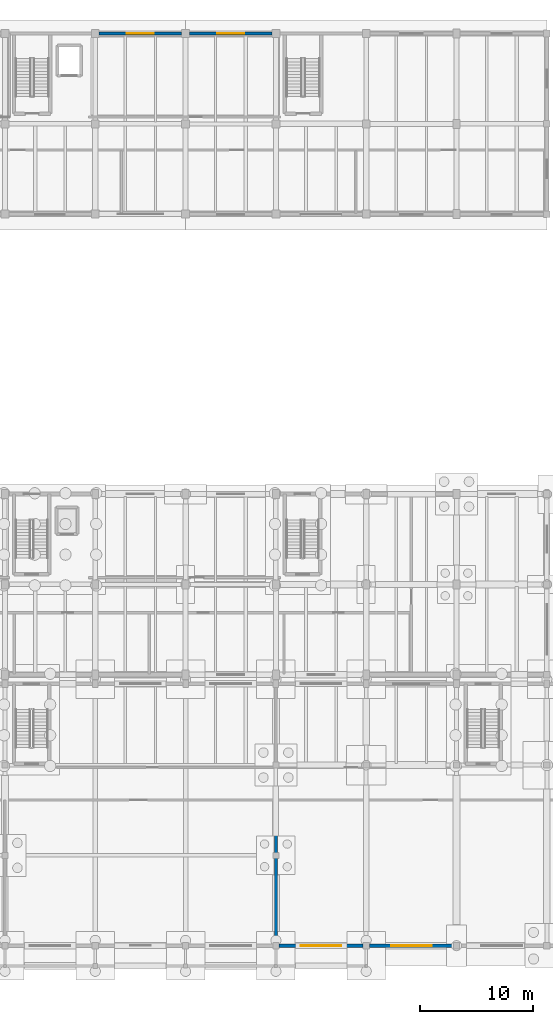
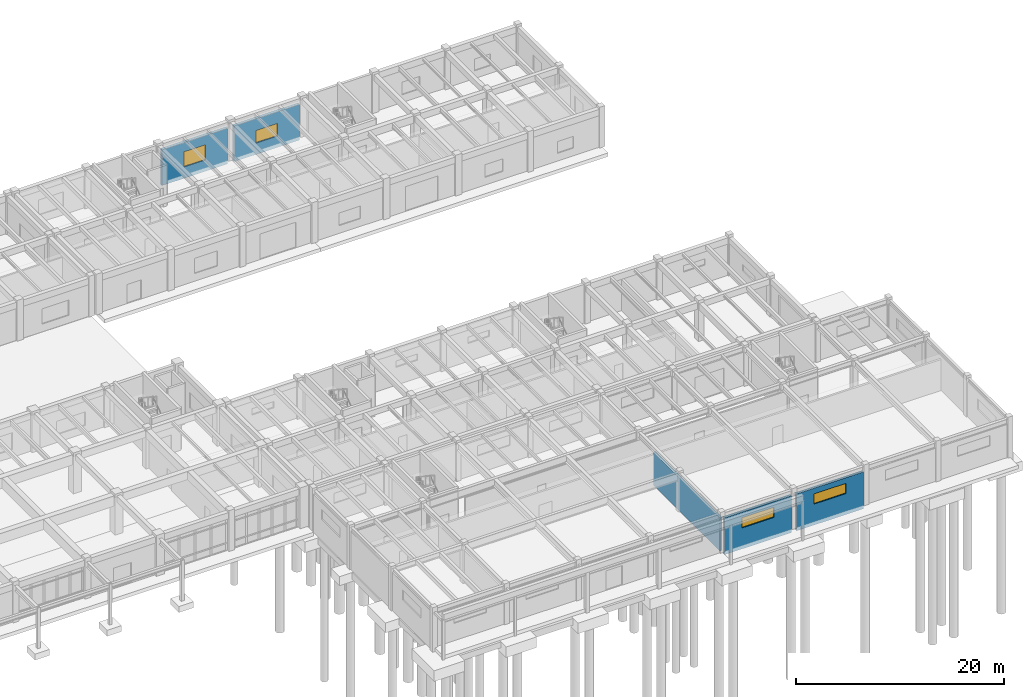
# One storey, part 42 of 64: 5 walls, 4 windows, 4 openings.
"""IFC4 building model written with IfcOpenShell, lengths in metres."""

from ifc_helpers import new_model, si_unit, direction, frame, frame_2d, origin, place, context, subcontext, project, spatial, rectangle, extrude, material, layer, layer_set, type_object, element, fill, save


model = new_model("IFC4")

# Units and contexts
model_context = context("Model", 3, precision=1e-05, world=origin(), true_north=direction((0.0, 1.0)))
body_context = subcontext(model_context, "Body", "Model", "MODEL_VIEW")
ifc_project = project(units=[si_unit("LENGTHUNIT", "METRE"), si_unit("AREAUNIT", "SQUARE_METRE"), si_unit("VOLUMEUNIT", "CUBIC_METRE"), si_unit("PLANEANGLEUNIT", "RADIAN"), si_unit("MASSUNIT", "GRAM", prefix="KILO")], contexts=[model_context])

# Site, building, storey
site_placement = place(None, origin())
site = spatial("IfcSite", under=ifc_project, at=site_placement, CompositionType="ELEMENT")
building_placement = place(site_placement, origin())
building = spatial("IfcBuilding", under=site, at=building_placement, Name="Tlaxcora Railside Police Headquarters", CompositionType="ELEMENT")
storey_placement = place(building_placement, origin())
storey = spatial("IfcBuildingStorey", under=building, at=storey_placement, Name="L00", CompositionType="ELEMENT", Elevation=0.0)

# Wall
ifc_material_1 = material(Name="Pressed clay brick masonry", Category="masonry")
ifc_layer_1 = layer(ifc_material_1, 0.239990234375, Name="Pressed clay brick masonry")
ifc_layer_set_1 = layer_set([ifc_layer_1], Name="Pressed clay brick masonry")
wall_type_1 = type_object("IfcWallType", Name="Interior Partition Wall IW-85", PredefinedType="PARTITIONING", material=ifc_layer_set_1)
wall_1_placement = place(storey_placement, frame((134.800048828125, 12.080078125, 0.0), z_axis=(0.0, 0.0, 1.0), x_axis=(0.0, 1.0, 0.0)))
element("IfcWall", 1, at=wall_1_placement, inside=storey, type_object=wall_type_1, Name="V3 L00 interior partition 39", PredefinedType="PARTITIONING", context=body_context, shape_type="SweptSolid", body=[
    extrude(rectangle(XDim=12.81982421875, YDim=0.239990234375, at=frame_2d((6.409912109375, 0.0))), origin(), (0.0, 0.0, 1.0), 3.89794921875),
])

# Wall, opening, window
ifc_layer_2 = layer(ifc_material_1, 0.294921875, Name="Pressed clay brick masonry")
ifc_layer_set_2 = layer_set([ifc_layer_2], Name="Pressed clay brick masonry")
wall_type_2 = type_object("IfcWallType", Name="Structural Bearing Wall EW-74", PredefinedType="SOLIDWALL", material=ifc_layer_set_2)
wall_2_placement = place(storey_placement, frame((135.074951171875, 12.0, -0.419921875), z_axis=(0.0, 0.0, 1.0), x_axis=(1.0, 0.0, 0.0)))
wall_2 = element("IfcWall", 2, at=wall_2_placement, inside=storey, type_object=wall_type_2, Name="V3 L00 exterior wall 0.4", PredefinedType="SOLIDWALL", context=body_context, shape_type="SweptSolid", body=[
    extrude(rectangle(XDim=7.449951171875, YDim=0.294921875, at=frame_2d((3.72509765625, 0.0))), origin(), (0.0, 0.0, 1.0), 4.3330078125),
])
opening_1_placement = place(wall_2_placement, frame((1.925048828125, 0.0, 2.469970703125)))
opening_1 = element("IfcOpeningElement", 3, at=opening_1_placement, cuts=wall_2, Name="Opening WN-77", PredefinedType="OPENING", context=body_context, shape_type="SweptSolid", body=[
    extrude(rectangle(XDim=3.60009765625, YDim=1.199951171875, at=frame_2d((1.800048828125, 0.60009765625))), frame((0.0, 0.157470703125, 0.0), z_axis=(0.0, -1.0, 0.0), x_axis=(1.0, 0.0, 0.0)), (0.0, 0.0, 1.0), 0.31494140625),
])
ifc_material_2 = material(Name="Thermally broken low-E insulated glazing", Category="glass")
window_type_1 = type_object("IfcWindowType", Name="Exterior Framed or Circular Window WN-77", PartitioningType="SINGLE_PANEL", PredefinedType="WINDOW", material=ifc_material_2)
window_1_placement = place(opening_1_placement, origin())
window_1 = element("IfcWindow", 4, at=window_1_placement, inside=storey, type_object=window_type_1, Name="V3 L00 window 40", OverallHeight=1.199951171875, OverallWidth=3.60009765625, PartitioningType="SINGLE_PANEL", PredefinedType="WINDOW", context=body_context, shape_type="SweptSolid", body=[
    extrude(rectangle(XDim=3.60009765625, YDim=1.199951171875, at=frame_2d((1.800048828125, 0.60009765625))), frame((0.0, 0.030029296875, 0.0), z_axis=(0.0, -1.0, 0.0), x_axis=(1.0, 0.0, 0.0)), (0.0, 0.0, 1.0), 0.06005859375),
])
fill(opening_1, window_1)

wall_3_placement = place(storey_placement, frame((143.074951171875, 12.0, -0.419921875), z_axis=(0.0, 0.0, 1.0), x_axis=(1.0, 0.0, 0.0)))
wall_3 = element("IfcWall", 5, at=wall_3_placement, inside=storey, type_object=wall_type_2, Name="V3 L00 exterior wall 0.5", PredefinedType="SOLIDWALL", context=body_context, shape_type="SweptSolid", body=[
    extrude(rectangle(XDim=7.449951171875, YDim=0.294921875, at=frame_2d((3.72509765625, 0.0))), origin(), (0.0, 0.0, 1.0), 4.3330078125),
])
opening_2_placement = place(wall_3_placement, frame((1.925048828125, 0.0, 2.469970703125)))
opening_2 = element("IfcOpeningElement", 6, at=opening_2_placement, cuts=wall_3, Name="Opening WN-77", PredefinedType="OPENING", context=body_context, shape_type="SweptSolid", body=[
    extrude(rectangle(XDim=3.60009765625, YDim=1.199951171875, at=frame_2d((1.800048828125, 0.60009765625))), frame((0.0, 0.157470703125, 0.0), z_axis=(0.0, -1.0, 0.0), x_axis=(1.0, 0.0, 0.0)), (0.0, 0.0, 1.0), 0.31494140625),
])
window_2_placement = place(opening_2_placement, origin())
window_2 = element("IfcWindow", 7, at=window_2_placement, inside=storey, type_object=window_type_1, Name="V3 L00 window 41", OverallHeight=1.199951171875, OverallWidth=3.60009765625, PartitioningType="SINGLE_PANEL", PredefinedType="WINDOW", context=body_context, shape_type="SweptSolid", body=[
    extrude(rectangle(XDim=3.60009765625, YDim=1.199951171875, at=frame_2d((1.800048828125, 0.60009765625))), frame((0.0, 0.030029296875, 0.0), z_axis=(0.0, -1.0, 0.0), x_axis=(1.0, 0.0, 0.0)), (0.0, 0.0, 1.0), 0.06005859375),
])
fill(opening_2, window_2)

wall_4_placement = place(storey_placement, frame((134.449951171875, 92.800048828125, -0.419921875), z_axis=(0.0, 0.0, 1.0), x_axis=(-1.0, 0.0, 0.0)))
wall_4 = element("IfcWall", 8, at=wall_4_placement, inside=storey, type_object=wall_type_2, Name="V6 L00 exterior wall 2.3", PredefinedType="SOLIDWALL", context=body_context, shape_type="SweptSolid", body=[
    extrude(rectangle(XDim=7.300048828125, YDim=0.294921875, at=frame_2d((3.64990234375, 0.0))), origin(), (0.0, 0.0, 1.0), 4.199951171875),
])
opening_3_placement = place(wall_4_placement, frame((2.449951171875, 0.0, 1.320068359375)))
opening_3 = element("IfcOpeningElement", 9, at=opening_3_placement, cuts=wall_4, Name="Opening WN-59", PredefinedType="OPENING", context=body_context, shape_type="SweptSolid", body=[
    extrude(rectangle(XDim=2.39990234375, YDim=1.5, at=frame_2d((1.199951171875, 0.75))), frame((0.0, 0.157470703125, 0.0), z_axis=(0.0, -1.0, 0.0), x_axis=(1.0, 0.0, 0.0)), (0.0, 0.0, 1.0), 0.31494140625),
])
window_type_2 = type_object("IfcWindowType", Name="Exterior Framed or Circular Window WN-59", PartitioningType="SINGLE_PANEL", PredefinedType="WINDOW", material=ifc_material_2)
window_3_placement = place(opening_3_placement, origin())
window_3 = element("IfcWindow", 10, at=window_3_placement, inside=storey, type_object=window_type_2, Name="V6 L00 window 164", OverallHeight=1.5, OverallWidth=2.39990234375, PartitioningType="SINGLE_PANEL", PredefinedType="WINDOW", context=body_context, shape_type="SweptSolid", body=[
    extrude(rectangle(XDim=2.39990234375, YDim=1.5, at=frame_2d((1.199951171875, 0.75))), frame((0.0, 0.030029296875, 0.0), z_axis=(0.0, -1.0, 0.0), x_axis=(1.0, 0.0, 0.0)), (0.0, 0.0, 1.0), 0.06005859375),
])
fill(opening_3, window_3)

wall_5_placement = place(storey_placement, frame((126.449951171875, 92.800048828125, -0.419921875), z_axis=(0.0, 0.0, 1.0), x_axis=(-1.0, 0.0, 0.0)))
wall_5 = element("IfcWall", 11, at=wall_5_placement, inside=storey, type_object=wall_type_2, Name="V6 L00 exterior wall 2.4", PredefinedType="SOLIDWALL", context=body_context, shape_type="SweptSolid", body=[
    extrude(rectangle(XDim=7.300048828125, YDim=0.294921875, at=frame_2d((3.64990234375, 0.0))), origin(), (0.0, 0.0, 1.0), 4.199951171875),
])
opening_4_placement = place(wall_5_placement, frame((2.449951171875, 0.0, 1.320068359375)))
opening_4 = element("IfcOpeningElement", 12, at=opening_4_placement, cuts=wall_5, Name="Opening WN-76", PredefinedType="OPENING", context=body_context, shape_type="SweptSolid", body=[
    extrude(rectangle(XDim=2.39990234375, YDim=1.800048828125, at=frame_2d((1.199951171875, 0.89990234375))), frame((0.0, 0.157470703125, 0.0), z_axis=(0.0, -1.0, 0.0), x_axis=(1.0, 0.0, 0.0)), (0.0, 0.0, 1.0), 0.31494140625),
])
window_type_3 = type_object("IfcWindowType", Name="Exterior Framed or Circular Window WN-76", PartitioningType="SINGLE_PANEL", PredefinedType="WINDOW", material=ifc_material_2)
window_4_placement = place(opening_4_placement, origin())
window_4 = element("IfcWindow", 13, at=window_4_placement, inside=storey, type_object=window_type_3, Name="V6 L00 window 165", OverallHeight=1.800048828125, OverallWidth=2.39990234375, PartitioningType="SINGLE_PANEL", PredefinedType="WINDOW", context=body_context, shape_type="SweptSolid", body=[
    extrude(rectangle(XDim=2.39990234375, YDim=1.800048828125, at=frame_2d((1.199951171875, 0.89990234375))), frame((0.0, 0.030029296875, 0.0), z_axis=(0.0, -1.0, 0.0), x_axis=(1.0, 0.0, 0.0)), (0.0, 0.0, 1.0), 0.06005859375),
])
fill(opening_4, window_4)

save(model, "model.ifc")
